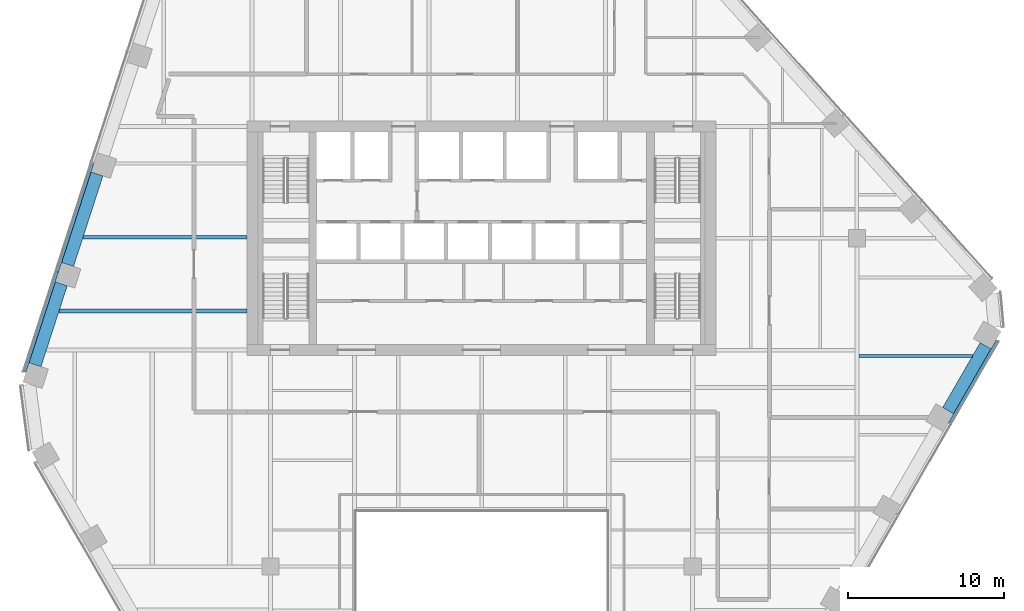
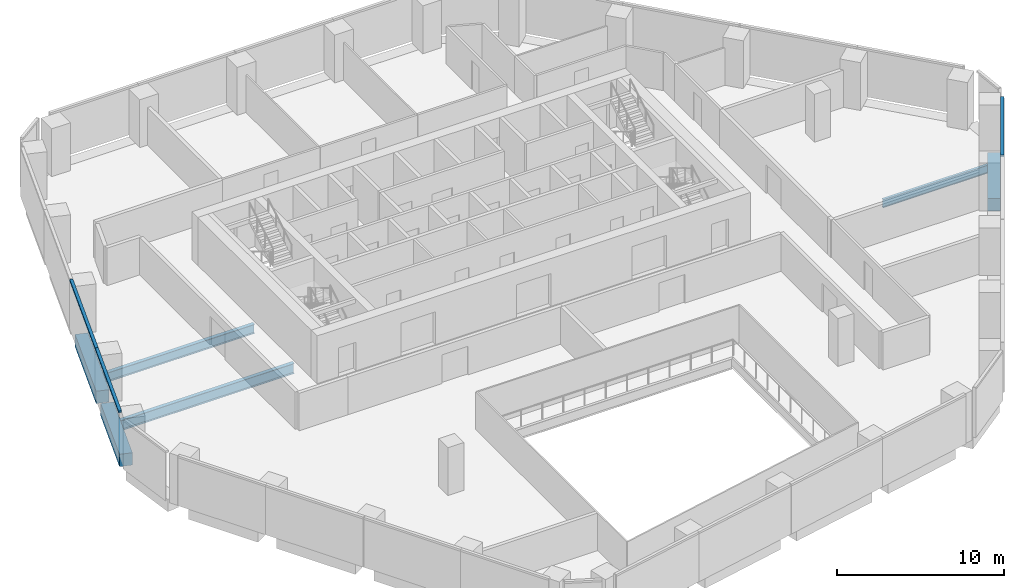
# One storey, part 6 of 16: 6 beams, 3 members, 2 elements without a shape of their own.
"""IFC4 building model written with IfcOpenShell, lengths in metres."""

from ifc_helpers import new_model, si_unit, direction, frame, origin, origin_2d, place, context, subcontext, project, spatial, rectangle, i_section, extrude, material, layer, layer_set, material_profile, profile_set, type_object, element, aggregate, save


model = new_model("IFC4")

# Units and contexts
model_context = context("Model", 3, precision=1e-05, world=origin(), true_north=direction((0.0, 1.0)))
body_context = subcontext(model_context, "Body", "Model", "MODEL_VIEW")
ifc_project = project(units=[si_unit("LENGTHUNIT", "METRE"), si_unit("AREAUNIT", "SQUARE_METRE"), si_unit("VOLUMEUNIT", "CUBIC_METRE"), si_unit("PLANEANGLEUNIT", "RADIAN"), si_unit("MASSUNIT", "GRAM", prefix="KILO")], contexts=[model_context])

# Site, building, storey
site_placement = place(None, origin())
site = spatial("IfcSite", under=ifc_project, at=site_placement, CompositionType="ELEMENT")
building_placement = place(site_placement, origin())
building = spatial("IfcBuilding", under=site, at=building_placement, Name="Isthmus Gate Tower", CompositionType="ELEMENT")
storey_placement = place(building_placement, frame((0.0, 0.0, 192.699951171875)))
storey = spatial("IfcBuildingStorey", under=building, at=storey_placement, Name="L48", CompositionType="ELEMENT", Elevation=192.699951171875)

# Curtain wall, members
ifc_material_1 = material(Name="Aluminium, pale champagne anodised", Category="aluminium")
ifc_layer = layer(ifc_material_1, 0.199951171875)
ifc_layer_set = layer_set([ifc_layer], Name="CW-1 UNITISED CURTAIN WALL 200 DEEP")
curtain_wall_type = type_object("IfcCurtainWallType", Name="CW-1 UNITISED CURTAIN WALL 200 DEEP", PredefinedType="NOTDEFINED", material=ifc_layer_set)
curtain_wall_1_placement = place(storey_placement, origin())
curtain_wall_1 = element("IfcCurtainWall", 1, at=curtain_wall_1_placement, inside=storey, type_object=curtain_wall_type, Name="CW-1 NW L48", PredefinedType="NOTDEFINED")
ifc_material_2 = material(Name="Aluminium, pale champagne anodised", Category="aluminium")
ifc_material_profile_1 = material_profile(ifc_material_2, rectangle(XDim=0.199951171875, YDim=0.139892578125, at=origin_2d()), Name="200x140")
ifc_profile_set_1 = profile_set([ifc_material_profile_1], Name="Aluminium, pale champagne anodised")
member_type = type_object("IfcMemberType", Name="CW-1 TRANSOM 200 X 140", PredefinedType="USERDEFINED", material=ifc_profile_set_1)
member_1_placement = place(storey_placement, frame((-24.896240234375, 12.33056640625, 3.580078125), z_axis=(-0.309025074527, -0.951053890857, 0.0), x_axis=(0.951053890857, -0.309025074527, 0.0)))
member_1 = element("IfcMember", 2, at=member_1_placement, type_object=member_type, Name="CW-1 transom", ObjectType="TRANSOM", PredefinedType="USERDEFINED", context=body_context, shape_type="SweptSolid", body=[
    extrude(rectangle(XDim=0.199951171875, YDim=0.139892578125, at=origin_2d()), origin(), (0.0, 0.0, 1.0), 7.330810546875),
])
member_2_placement = place(storey_placement, frame((-27.16162109375, 5.358642578125, 3.580078125), z_axis=(-0.309014822289, -0.951057222046, 0.0), x_axis=(0.951057222046, -0.309014822289, 0.0)))
member_2 = element("IfcMember", 3, at=member_2_placement, type_object=member_type, Name="CW-1 transom", ObjectType="TRANSOM", PredefinedType="USERDEFINED", context=body_context, shape_type="SweptSolid", body=[
    extrude(rectangle(XDim=0.199951171875, YDim=0.139892578125, at=origin_2d()), origin(), (0.0, 0.0, 1.0), 6.74072265625),
])
aggregate(curtain_wall_1, [member_1, member_2])

# Curtain wall, member
curtain_wall_2_placement = place(storey_placement, origin())
curtain_wall_2 = element("IfcCurtainWall", 4, at=curtain_wall_2_placement, inside=storey, type_object=curtain_wall_type, Name="CW-1 SE L48", PredefinedType="NOTDEFINED")
member_3_placement = place(storey_placement, frame((29.941162109375, -4.34033203125, 3.580078125), z_axis=(0.499991521122, 0.866030299012, 0.0), x_axis=(-0.866030299012, 0.499991521122, 0.0)))
member_3 = element("IfcMember", 5, at=member_3_placement, type_object=member_type, Name="CW-1 transom", ObjectType="TRANSOM", PredefinedType="USERDEFINED", context=body_context, shape_type="SweptSolid", body=[
    extrude(rectangle(XDim=0.199951171875, YDim=0.139892578125, at=origin_2d()), origin(), (0.0, 0.0, 1.0), 6.10009765625),
])
aggregate(curtain_wall_2, [member_3])

# Beams
ifc_material_3 = material(Name="Concrete f'c 60 MPa", Category="concrete")
ifc_material_profile_2 = material_profile(ifc_material_3, rectangle(XDim=0.800048828125, YDim=0.89990234375, at=origin_2d()), Name="RC 800X900")
ifc_profile_set_2 = profile_set([ifc_material_profile_2], Name="Concrete f'c 60 MPa")
beam_type_1 = type_object("IfcBeamType", Name="RC SPANDREL 800 X 900", PredefinedType="SPANDREL", material=ifc_profile_set_2)
beam_1_placement = place(storey_placement, frame((32.2333984375, 0.629638671875, -0.449951171875), z_axis=(-0.500017431331, -0.866015339567, 0.0), x_axis=(0.866015339567, -0.500017431331, 0.0)))
element("IfcBeam", 6, at=beam_1_placement, inside=storey, type_object=beam_type_1, Name="str-spandrel-L48-06", PredefinedType="SPANDREL", context=body_context, shape_type="SweptSolid", body=[
    extrude(rectangle(XDim=0.800048828125, YDim=0.89990234375, at=origin_2d()), origin(), (0.0, 0.0, 1.0), 4.800048828125),
])
beam_2_placement = place(storey_placement, frame((-28.568115234375, -0.588623046875, -0.449951171875), z_axis=(0.308989680586, 0.95106539065, 0.0), x_axis=(-0.95106539065, 0.308989680586, 0.0)))
element("IfcBeam", 7, at=beam_2_placement, inside=storey, type_object=beam_type_1, Name="str-spandrel-L48-21", PredefinedType="SPANDREL", context=body_context, shape_type="SweptSolid", body=[
    extrude(rectangle(XDim=0.800048828125, YDim=0.89990234375, at=origin_2d()), origin(), (0.0, 0.0, 1.0), 5.44091796875),
])
beam_3_placement = place(storey_placement, frame((-26.485107421875, 5.822265625, -0.449951171875), z_axis=(0.309003593002, 0.951060870561, 0.0), x_axis=(-0.951060870561, 0.309003593002, 0.0)))
element("IfcBeam", 8, at=beam_3_placement, inside=storey, type_object=beam_type_1, Name="str-spandrel-L48-22", PredefinedType="SPANDREL", context=body_context, shape_type="SweptSolid", body=[
    extrude(rectangle(XDim=0.800048828125, YDim=0.89990234375, at=origin_2d()), origin(), (0.0, 0.0, 1.0), 6.0908203125),
])
ifc_material_4 = material(Name="Structural steel ASTM A992 Gr 50", Category="steel")
ifc_material_profile_3 = material_profile(ifc_material_4, i_section(OverallWidth=0.177734375, OverallDepth=0.60009765625, WebThickness=0.009521484375, FlangeThickness=0.0126953125, at=origin_2d()), Name="W24X55")
ifc_profile_set_3 = profile_set([ifc_material_profile_3], Name="Structural steel ASTM A992 Gr 50")
beam_type_2 = type_object("IfcBeamType", Name="STEEL FLOOR BEAM W24X55", PredefinedType="JOIST", material=ifc_profile_set_3)
beam_4_placement = place(storey_placement, frame((24.13330078125, -0.037353515625, -0.449951171875), z_axis=(1.0, 0.0, 0.0), x_axis=(0.0, 1.0, 0.0)))
element("IfcBeam", 9, at=beam_4_placement, inside=storey, type_object=beam_type_2, Name="str-beam-L48-16-01", PredefinedType="JOIST", context=body_context, shape_type="SweptSolid", body=[
    extrude(i_section(OverallWidth=0.177734375, OverallDepth=0.60009765625, WebThickness=0.009521484375, FlangeThickness=0.0126953125, at=origin_2d()), origin(), (0.0, 0.0, 1.0), 7.2529296875),
])
ifc_material_5 = material(Name="Structural steel ASTM A992 Gr 50", Category="steel")
ifc_material_profile_4 = material_profile(ifc_material_5, i_section(OverallWidth=0.25390625, OverallDepth=0.679443359375, WebThickness=0.010986328125, FlangeThickness=0.015869140625, at=origin_2d()), Name="W27X84")
ifc_profile_set_4 = profile_set([ifc_material_profile_4], Name="Structural steel ASTM A992 Gr 50")
beam_type_3 = type_object("IfcBeamType", Name="STEEL FLOOR BEAM W27X84", PredefinedType="JOIST", material=ifc_profile_set_4)
beam_5_placement = place(storey_placement, frame((-25.498046875, 7.56591796875, -0.48974609375), z_axis=(1.0, 0.0, 0.0), x_axis=(0.0, 1.0, 0.0)))
element("IfcBeam", 10, at=beam_5_placement, inside=storey, type_object=beam_type_3, Name="str-beam-L48-01-01", PredefinedType="JOIST", context=body_context, shape_type="SweptSolid", body=[
    extrude(i_section(OverallWidth=0.25390625, OverallDepth=0.679443359375, WebThickness=0.010986328125, FlangeThickness=0.015869140625, at=origin_2d()), origin(), (0.0, 0.0, 1.0), 10.498046875),
])
ifc_material_6 = material(Name="Structural steel ASTM A992 Gr 50", Category="steel")
ifc_material_profile_5 = material_profile(ifc_material_6, i_section(OverallWidth=0.263427734375, OverallDepth=0.749267578125, WebThickness=0.0126953125, FlangeThickness=0.015869140625, at=origin_2d()), Name="W30X90")
ifc_profile_set_5 = profile_set([ifc_material_profile_5], Name="Structural steel ASTM A992 Gr 50")
beam_type_4 = type_object("IfcBeamType", Name="STEEL FLOOR BEAM W30X90", PredefinedType="JOIST", material=ifc_profile_set_5)
beam_6_placement = place(storey_placement, frame((-27.03271484375, 2.843017578125, -0.524658203125), z_axis=(1.0, 0.0, 0.0), x_axis=(0.0, 1.0, 0.0)))
element("IfcBeam", 11, at=beam_6_placement, inside=storey, type_object=beam_type_4, Name="str-beam-L48-01-00", PredefinedType="JOIST", context=body_context, shape_type="SweptSolid", body=[
    extrude(i_section(OverallWidth=0.263427734375, OverallDepth=0.749267578125, WebThickness=0.0126953125, FlangeThickness=0.015869140625, at=origin_2d()), origin(), (0.0, 0.0, 1.0), 12.03271484375),
])

save(model, "model.ifc")
